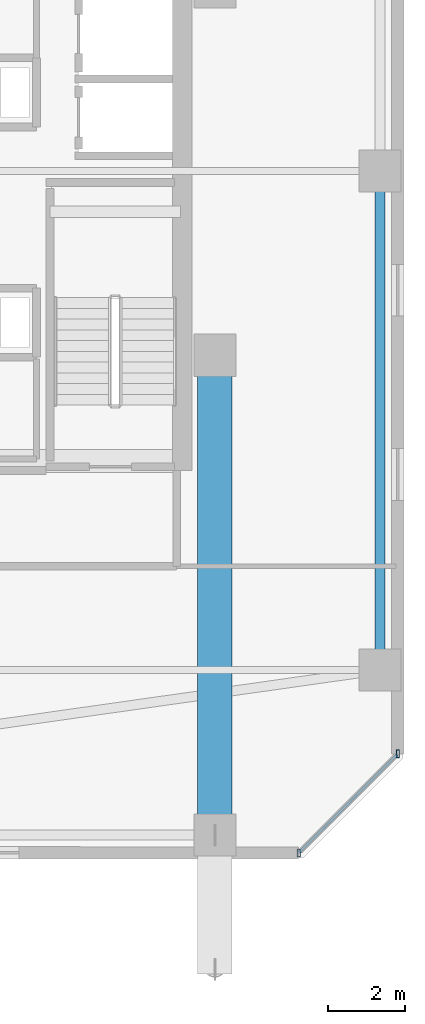
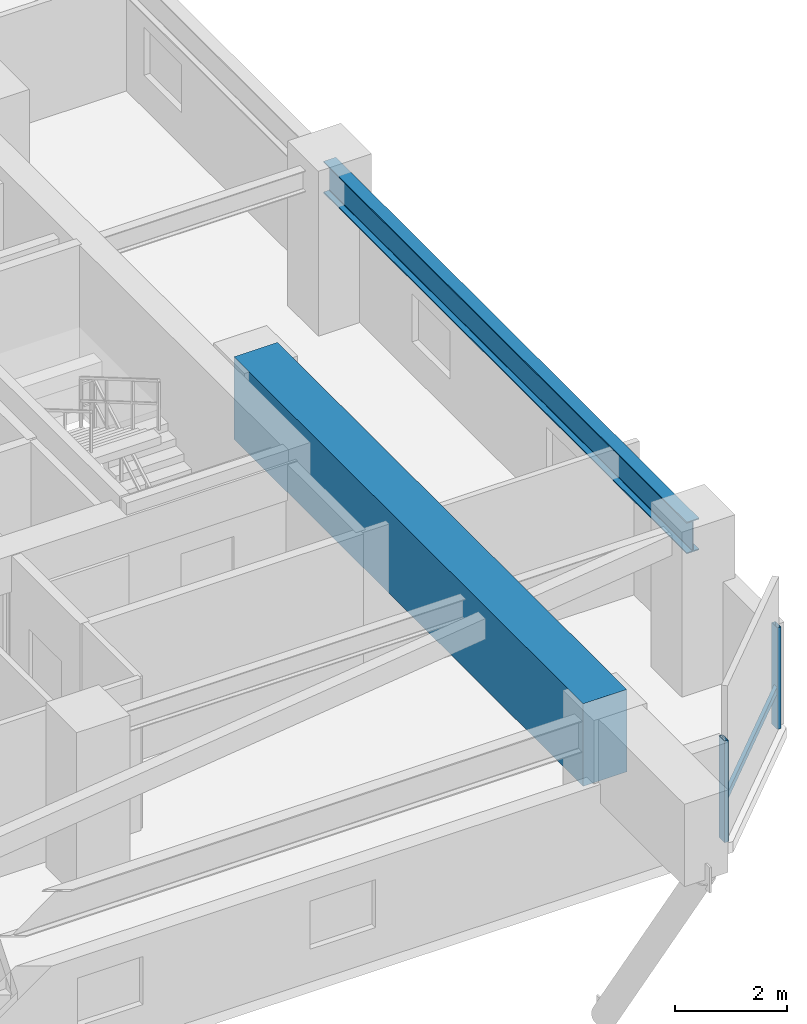
# One storey, part 14 of 36: 3 members, 2 beams, 1 element without a shape of its own.
"""IFC4 building model written with IfcOpenShell, lengths in metres."""

from ifc_helpers import new_model, si_unit, direction, frame, origin, origin_2d, place, context, subcontext, project, spatial, rectangle, hollow_rectangle, i_section, extrude, material, material_profile, profile_set, type_object, element, aggregate, save


model = new_model("IFC4")

# Units and contexts
model_context = context("Model", 3, precision=1e-05, world=origin(), true_north=direction((0.0, 1.0)))
body_context = subcontext(model_context, "Body", "Model", "MODEL_VIEW")
ifc_project = project(units=[si_unit("LENGTHUNIT", "METRE"), si_unit("AREAUNIT", "SQUARE_METRE"), si_unit("VOLUMEUNIT", "CUBIC_METRE"), si_unit("PLANEANGLEUNIT", "RADIAN"), si_unit("MASSUNIT", "GRAM", prefix="KILO")], contexts=[model_context])

# Site, building, storey
site_placement = place(None, origin())
site = spatial("IfcSite", under=ifc_project, at=site_placement, CompositionType="ELEMENT")
building_placement = place(site_placement, origin())
building = spatial("IfcBuilding", under=site, at=building_placement, Name="Thornwick Lancets Civic Towers", CompositionType="ELEMENT")
storey_placement = place(building_placement, frame((0.0, 0.0, 196.5)))
storey = spatial("IfcBuildingStorey", under=building, at=storey_placement, Name="L52", CompositionType="ELEMENT", Elevation=196.5)

# Beams
ifc_material_1 = material(Name="Steel S355JR", Category="steel")
ifc_material_profile_1 = material_profile(ifc_material_1, i_section(OverallWidth=0.255859375, OverallDepth=0.69287109375, WebThickness=0.014404296875, FlangeThickness=0.023681640625, FilletRadius=0.01513671875, at=origin_2d()), Name="UKB 686x254x170")
ifc_profile_set_1 = profile_set([ifc_material_profile_1], Name="Steel S355JR")
beam_type_1 = type_object("IfcBeamType", Name="BM_GIRD_686_170", PredefinedType="BEAM", material=ifc_profile_set_1)
beam_1_placement = place(storey_placement, frame((105.800048828125, 14.0, 2.993408203125), z_axis=(0.0, 1.0, 0.0), x_axis=(-1.0, 0.0, 0.0)))
element("IfcBeam", 1, at=beam_1_placement, inside=storey, type_object=beam_type_1, Name="BM-SPINE-L52-B-0-1", PredefinedType="BEAM", context=body_context, shape_type="SweptSolid", body=[
    extrude(i_section(OverallWidth=0.255859375, OverallDepth=0.69287109375, WebThickness=0.014404296875, FlangeThickness=0.023681640625, FilletRadius=0.01513671875, at=origin_2d()), origin(), (0.0, 0.0, 1.0), 13.0),
])
ifc_material_2 = material(Name="Concrete C60/75", Category="concrete")
ifc_material_profile_2 = material_profile(ifc_material_2, rectangle(XDim=0.89990234375, YDim=1.800048828125, at=origin_2d()), Name="RC 900x1800")
ifc_profile_set_2 = profile_set([ifc_material_profile_2], Name="Concrete C60/75")
beam_type_2 = type_object("IfcBeamType", Name="BM_TR_RC1800", PredefinedType="BEAM", material=ifc_profile_set_2)
beam_2_placement = place(storey_placement, frame((101.5, 22.199951171875, 2.699951171875), z_axis=(0.0, -1.0, 0.0), x_axis=(1.0, 0.0, 0.0)))
element("IfcBeam", 2, at=beam_2_placement, inside=storey, type_object=beam_type_2, Name="TG-BACK-L53-B10", PredefinedType="BEAM", context=body_context, shape_type="SweptSolid", body=[
    extrude(rectangle(XDim=0.89990234375, YDim=1.800048828125, at=origin_2d()), origin(), (0.0, 0.0, 1.0), 12.5),
])

# Curtain wall, members
ifc_material_3 = material(Name="Mid-zone chamfered-corner unitised glass curtain wall", Category="glass")
curtain_wall_type = type_object("IfcCurtainWallType", Name="CW_SYS_04", PredefinedType="NOTDEFINED", material=ifc_material_3)
curtain_wall_placement = place(storey_placement, origin())
curtain_wall = element("IfcCurtainWall", 3, at=curtain_wall_placement, inside=storey, type_object=curtain_wall_type, Name="L52 Curtain Wall CW-L52-B-E1", PredefinedType="NOTDEFINED")
ifc_material_4 = material(Name="Thermally broken bronze aluminium S355", Category="steel")
ifc_material_profile_3 = material_profile(ifc_material_4, hollow_rectangle(XDim=0.080078125, YDim=0.199951171875, WallThickness=0.006103515625, at=origin_2d()), Name="RHS 200x80x6")
ifc_profile_set_3 = profile_set([ifc_material_profile_3], Name="Thermally broken bronze aluminium S355")
member_type_1 = type_object("IfcMemberType", Name="CW_MUL_200", PredefinedType="MULLION", material=ifc_profile_set_3)
member_1_placement = place(storey_placement, frame((103.681396484375, 9.2353515625, 0.0), z_axis=(0.0, 0.0, 1.0), x_axis=(1.0, 0.0, 0.0)))
member_1 = element("IfcMember", 4, at=member_1_placement, type_object=member_type_1, Name="CW-L52-B-E1 Mullion 0", PredefinedType="MULLION", context=body_context, shape_type="SweptSolid", body=[
    extrude(hollow_rectangle(XDim=0.080078125, YDim=0.199951171875, WallThickness=0.006103515625, at=origin_2d()), origin(), (0.0, 0.0, 1.0), 2.219970703125),
])
member_2_placement = place(storey_placement, frame((106.2646484375, 11.818603515625, 0.0), z_axis=(0.0, 0.0, 1.0), x_axis=(1.0, 0.0, 0.0)))
member_2 = element("IfcMember", 5, at=member_2_placement, type_object=member_type_1, Name="CW-L52-B-E1 Mullion 1", PredefinedType="MULLION", context=body_context, shape_type="SweptSolid", body=[
    extrude(hollow_rectangle(XDim=0.080078125, YDim=0.199951171875, WallThickness=0.006103515625, at=origin_2d()), origin(), (0.0, 0.0, 1.0), 2.219970703125),
])
ifc_material_profile_4 = material_profile(ifc_material_4, hollow_rectangle(XDim=0.074951171875, YDim=0.14990234375, WallThickness=0.0048828125, at=origin_2d()), Name="RHS 150x75x5")
ifc_profile_set_4 = profile_set([ifc_material_profile_4], Name="Thermally broken bronze aluminium S355")
member_type_2 = type_object("IfcMemberType", Name="CW_TRN_150", PredefinedType="USERDEFINED", material=ifc_profile_set_4)
member_3_placement = place(storey_placement, frame((103.695556640625, 9.24951171875, 0.85009765625), z_axis=(0.707106781187, 0.707106781187, 0.0), x_axis=(-0.707106781187, 0.707106781187, 0.0)))
member_3 = element("IfcMember", 6, at=member_3_placement, type_object=member_type_2, Name="CW-L52-B-E1 Transom 0", ObjectType="TRANSOM", PredefinedType="USERDEFINED", context=body_context, shape_type="SweptSolid", body=[
    extrude(hollow_rectangle(XDim=0.074951171875, YDim=0.14990234375, WallThickness=0.0048828125, at=origin_2d()), origin(), (0.0, 0.0, 1.0), 3.61328125),
])
aggregate(curtain_wall, [member_1, member_2, member_3])

save(model, "model.ifc")
